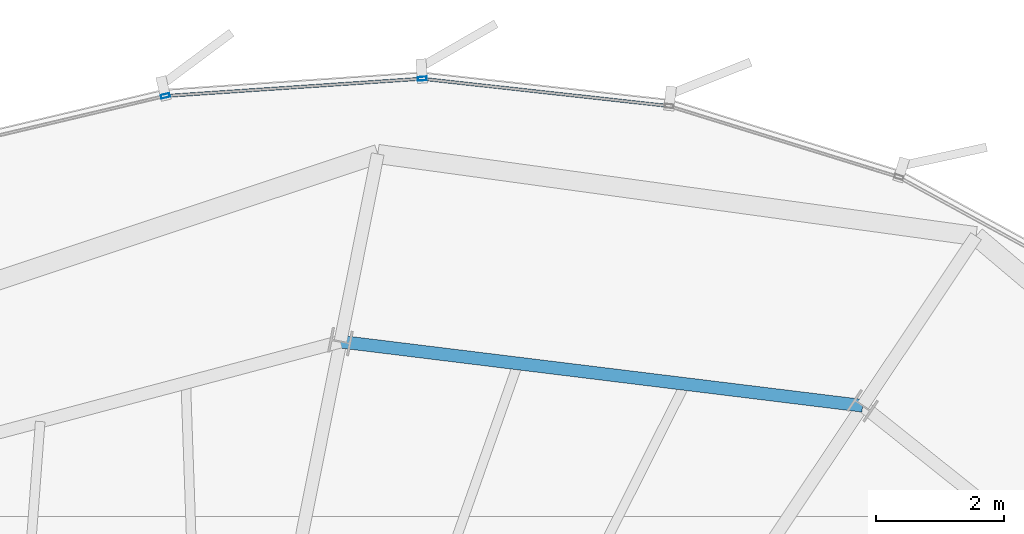
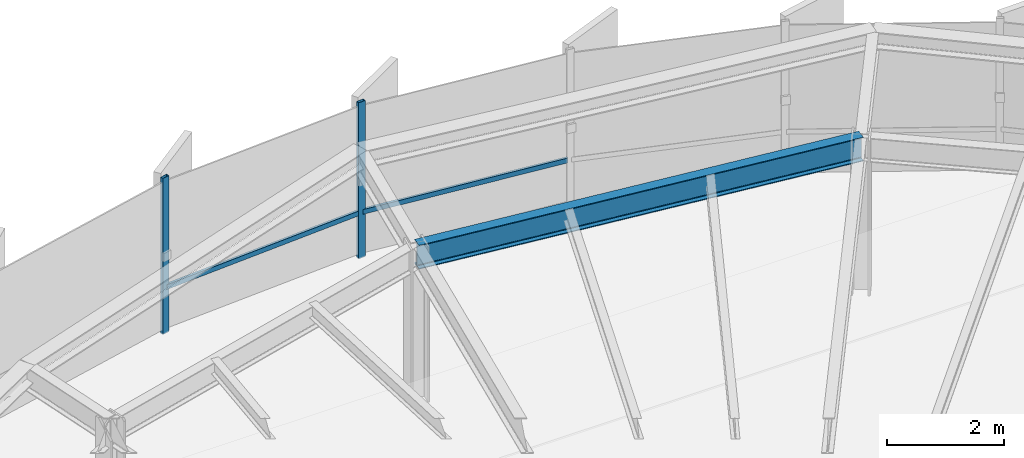
# One storey, part 23 of 34: 4 members, 1 beam, 1 element without a shape of its own.
"""IFC4 building model written with IfcOpenShell, lengths in metres."""

from ifc_helpers import new_model, si_unit, direction, frame, origin, origin_2d, place, context, subcontext, project, spatial, hollow_rectangle, i_section, extrude, source, transform, mapped, material, layer, layer_set, material_profile, profile_set, type_object, element, aggregate, save


model = new_model("IFC4")

# Units and contexts
model_context = context("Model", 3, precision=1e-05, world=origin(), true_north=direction((0.0, 1.0)))
body_context = subcontext(model_context, "Body", "Model", "MODEL_VIEW")
ifc_project = project(units=[si_unit("LENGTHUNIT", "METRE"), si_unit("AREAUNIT", "SQUARE_METRE"), si_unit("VOLUMEUNIT", "CUBIC_METRE"), si_unit("PLANEANGLEUNIT", "RADIAN"), si_unit("MASSUNIT", "GRAM", prefix="KILO"), si_unit("THERMODYNAMICTEMPERATUREUNIT", "KELVIN")], contexts=[model_context])

# Site, building, storey
site_placement = place(None, origin())
site = spatial("IfcSite", under=ifc_project, at=site_placement, CompositionType="ELEMENT")
building_placement = place(site_placement, origin())
building = spatial("IfcBuilding", under=site, at=building_placement, Name="Kethvar Cultural Tower", CompositionType="ELEMENT")
storey_placement = place(building_placement, frame((0.0, 0.0, 207.89990234375)))
storey = spatial("IfcBuildingStorey", under=building, at=storey_placement, Name="L54", CompositionType="ELEMENT", Elevation=207.89990234375)

# Beam
ifc_material_1 = material(Name="Steel S355J2", Category="steel")
ifc_material_profile_1 = material_profile(ifc_material_1, i_section(OverallWidth=0.199951171875, OverallDepth=0.5, WebThickness=0.01025390625, FlangeThickness=0.01611328125, FilletRadius=0.02099609375, at=origin_2d()), Name="Steel S355J2 — IPE500")
ifc_profile_set_1 = profile_set([ifc_material_profile_1], Name="Steel S355J2 — IPE500")
beam_type = type_object("IfcBeamType", Name="BM-IPE500", PredefinedType="BEAM", material=ifc_profile_set_1)
shared_shape_1 = source(origin(), body_context, "Body", "SweptSolid", [
    extrude(i_section(OverallWidth=0.199951171875, OverallDepth=0.5, WebThickness=0.01025390625, FlangeThickness=0.01611328125, FilletRadius=0.02099609375, at=origin_2d()), origin(), (0.0, 0.0, 1.0), 8.252685546875),
])
beam_placement = place(storey_placement, frame((58.748046875, 45.681396484375, 3.008056640625), z_axis=(-0.992540943467, 0.121911753093, 0.0), x_axis=(-0.121911753093, -0.992540943467, 0.0)))
element("IfcBeam", 1, at=beam_placement, inside=storey, type_object=beam_type, Name="L54 Column Ring Tie Beam CR-03", PredefinedType="BEAM", context=body_context, shape_type="MappedRepresentation", body=[
    mapped(shared_shape_1, transform((0.0, 0.0, 0.0), scale=1.0)),
])

# Curtain wall, members
ifc_material_2 = material(Name="Aluminium 6063-T6", Category="aluminium")
ifc_layer = layer(ifc_material_2, 0.179931640625, Name="Aluminium 6063-T6", Category="aluminium")
ifc_layer_set = layer_set([ifc_layer], Name="Aluminium 6063-T6 (180 mm)")
curtain_wall_type = type_object("IfcCurtainWallType", Name="CW-SYS-04-Z34", PredefinedType="NOTDEFINED", material=ifc_layer_set)
curtain_wall_placement = place(storey_placement, origin())
curtain_wall = element("IfcCurtainWall", 2, at=curtain_wall_placement, inside=storey, type_object=curtain_wall_type, Name="L54 Curtain Wall Run 01", PredefinedType="NOTDEFINED")
ifc_material_profile_2 = material_profile(ifc_material_2, hollow_rectangle(XDim=0.06005859375, YDim=0.139892578125, WallThickness=0.0048828125, at=origin_2d()), Name="Aluminium 6063-T6 — RHS140x60x5")
ifc_profile_set_2 = profile_set([ifc_material_profile_2], Name="Aluminium 6063-T6 — RHS140x60x5")
member_type_1 = type_object("IfcMemberType", Name="CW-SYS-04-Z34-MUL", PredefinedType="MULLION", material=ifc_profile_set_2)
shared_shape_2 = source(origin(), body_context, "Body", "SweptSolid", [
    extrude(hollow_rectangle(XDim=0.06005859375, YDim=0.139892578125, WallThickness=0.0048828125, at=origin_2d()), origin(), (0.0, 0.0, 1.0), 3.260009765625),
])
member_1_placement = place(storey_placement, frame((51.839111328125, 50.8125, 0.0), z_axis=(0.0, 0.0, 1.0), x_axis=(0.06724910416, -0.997736216637, 0.0)))
member_1 = element("IfcMember", 3, at=member_1_placement, type_object=member_type_1, Name="CW-L54-R01 Mullion 5", PredefinedType="MULLION", context=body_context, shape_type="MappedRepresentation", body=[
    mapped(shared_shape_2, transform((0.0, 0.0, 0.0), scale=1.0)),
])
member_2_placement = place(storey_placement, frame((47.81005859375, 50.54248046875, 0.0), z_axis=(0.0, 0.0, 1.0), x_axis=(0.230780034881, -0.973005948337, 0.0)))
member_2 = element("IfcMember", 4, at=member_2_placement, type_object=member_type_1, Name="CW-L54-R01 Mullion 6", PredefinedType="MULLION", context=body_context, shape_type="MappedRepresentation", body=[
    mapped(shared_shape_2, transform((0.0, 0.0, 0.0), scale=1.0)),
])
ifc_material_profile_3 = material_profile(ifc_material_2, hollow_rectangle(XDim=0.050048828125, YDim=0.10009765625, WallThickness=0.00390625, at=origin_2d()), Name="Aluminium 6063-T6 — RHS100x50x4")
ifc_profile_set_3 = profile_set([ifc_material_profile_3], Name="Aluminium 6063-T6 — RHS100x50x4")
member_type_2 = type_object("IfcMemberType", Name="CW-SYS-04-Z34-TRN", PredefinedType="USERDEFINED", material=ifc_profile_set_3)
shared_shape_3 = source(origin(), body_context, "Body", "SweptSolid", [
    extrude(hollow_rectangle(XDim=0.050048828125, YDim=0.10009765625, WallThickness=0.00390625, at=origin_2d()), origin(), (0.0, 0.0, 1.0), 3.83154296875),
])
member_3_placement = place(storey_placement, frame((55.6708984375, 50.3876953125, 0.9501953125), z_axis=(-0.993961967561, 0.109725143159, 0.0), x_axis=(-0.109725143159, -0.993961967561, 0.0)))
member_3 = element("IfcMember", 5, at=member_3_placement, type_object=member_type_2, Name="CW-L54-R01 Transom 4", ObjectType="TRANSOM", PredefinedType="USERDEFINED", context=body_context, shape_type="MappedRepresentation", body=[
    mapped(shared_shape_3, transform((0.0, 0.0, 0.0), scale=1.0)),
])
shared_shape_4 = source(origin(), body_context, "Body", "SweptSolid", [
    extrude(hollow_rectangle(XDim=0.050048828125, YDim=0.10009765625, WallThickness=0.00390625, at=origin_2d()), origin(), (0.0, 0.0, 1.0), 3.9697265625),
])
member_4_placement = place(storey_placement, frame((51.7958984375, 50.8095703125, 0.9501953125), z_axis=(-0.997733977718, -0.067282313482, 0.0), x_axis=(0.067282313482, -0.997733977718, 0.0)))
member_4 = element("IfcMember", 6, at=member_4_placement, type_object=member_type_2, Name="CW-L54-R01 Transom 5", ObjectType="TRANSOM", PredefinedType="USERDEFINED", context=body_context, shape_type="MappedRepresentation", body=[
    mapped(shared_shape_4, transform((0.0, 0.0, 0.0), scale=1.0)),
])
aggregate(curtain_wall, [member_1, member_2, member_3, member_4])

save(model, "model.ifc")
